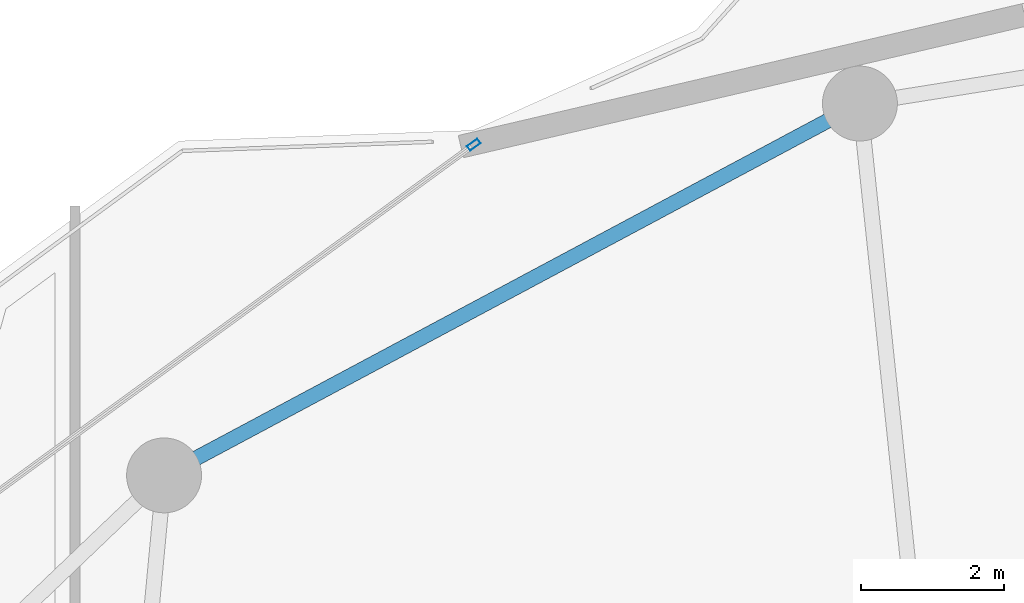
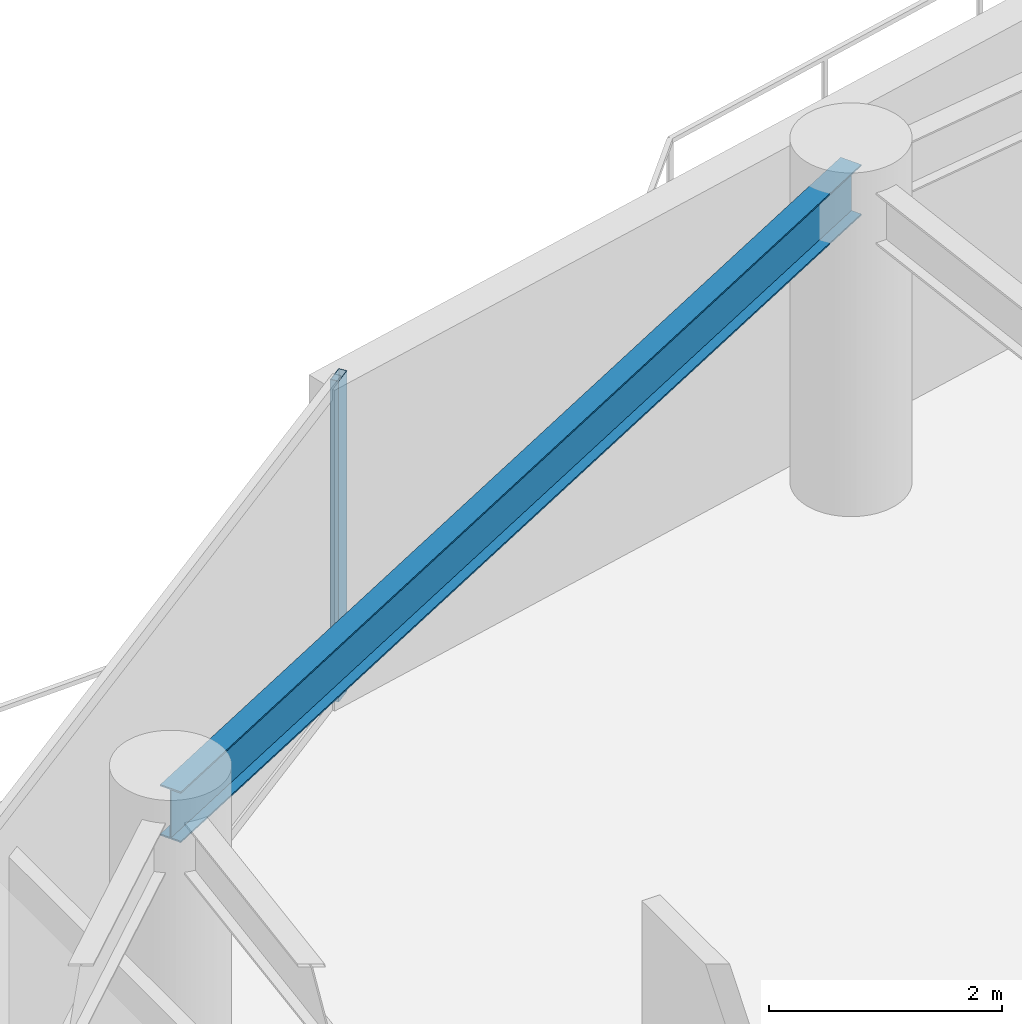
# One storey, part 18 of 31: 1 beam, 1 member, 1 element without a shape of its own.
"""IFC4 building model written with IfcOpenShell, lengths in metres."""

from ifc_helpers import new_model, si_unit, direction, frame, origin, origin_2d, place, context, subcontext, project, spatial, hollow_rectangle, i_section, extrude, material, layer, layer_set, material_profile, profile_set, type_object, element, aggregate, save


model = new_model("IFC4")

# Units and contexts
model_context = context("Model", 3, precision=1e-05, world=origin(), true_north=direction((0.0, 1.0)))
body_context = subcontext(model_context, "Body", "Model", "MODEL_VIEW")
ifc_project = project(units=[si_unit("LENGTHUNIT", "METRE"), si_unit("AREAUNIT", "SQUARE_METRE"), si_unit("VOLUMEUNIT", "CUBIC_METRE"), si_unit("PLANEANGLEUNIT", "RADIAN"), si_unit("MASSUNIT", "GRAM", prefix="KILO")], contexts=[model_context])

# Site, building, storey
site_placement = place(None, origin())
site = spatial("IfcSite", under=ifc_project, at=site_placement, CompositionType="ELEMENT")
building_placement = place(site_placement, origin())
building = spatial("IfcBuilding", under=site, at=building_placement, Name="Kazevale Care Tower and Concert Hall", CompositionType="ELEMENT")
storey_placement = place(building_placement, frame((0.0, 0.0, 206.39990234375)))
storey = spatial("IfcBuildingStorey", under=building, at=storey_placement, Name="L54", CompositionType="ELEMENT", Elevation=206.39990234375)

# Curtain wall, member
ifc_material_1 = material(Name="Aluminium 6063-T6 and Low-E Glass", Category="aluminium")
ifc_layer = layer(ifc_material_1, 0.179931640625)
ifc_layer_set = layer_set([ifc_layer], Name="Aluminium 6063-T6 and Low-E Glass")
curtain_wall_type = type_object("IfcCurtainWallType", Name="Waist & Upper Residential Curtain Wall CW-4", PredefinedType="NOTDEFINED", material=ifc_layer_set)
curtain_wall_placement = place(storey_placement, origin())
curtain_wall = element("IfcCurtainWall", 1, at=curtain_wall_placement, inside=storey, type_object=curtain_wall_type, Name="cw:L54:f14", PredefinedType="NOTDEFINED")
ifc_material_2 = material(Name="Aluminium 6063-T6", Category="aluminium")
ifc_material_profile_1 = material_profile(ifc_material_2, hollow_rectangle(XDim=0.080078125, YDim=0.179931640625, WallThickness=0.0048828125, at=origin_2d()), Name="ALU80x180x5")
ifc_profile_set_1 = profile_set([ifc_material_profile_1], Name="Aluminium 6063-T6")
member_type = type_object("IfcMemberType", Name="CW-4 Mullion ALU80x180x5", PredefinedType="MULLION", material=ifc_profile_set_1)
member_placement = place(storey_placement, frame((28.090576171875, 59.6435546875, 0.0), z_axis=(0.0, 0.0, 1.0), x_axis=(-0.588910374145, 0.808198348937, 0.0)))
member = element("IfcMember", 2, at=member_placement, type_object=member_type, Name="CW-4 mullion 2", PredefinedType="MULLION", context=body_context, shape_type="SweptSolid", body=[
    extrude(hollow_rectangle(XDim=0.080078125, YDim=0.179931640625, WallThickness=0.0048828125, at=origin_2d()), origin(), (0.0, 0.0, 1.0), 3.360107421875),
])
aggregate(curtain_wall, [member])

# Beam
ifc_material_3 = material(Name="Steel ASTM A572 Gr 50", Category="steel")
ifc_material_profile_2 = material_profile(ifc_material_3, i_section(OverallWidth=0.208984375, OverallDepth=0.532958984375, WebThickness=0.01025390625, FlangeThickness=0.015625, at=origin_2d()), Name="W530x92")
ifc_profile_set_2 = profile_set([ifc_material_profile_2], Name="Steel ASTM A572 Gr 50")
beam_type = type_object("IfcBeamType", Name="Upper Ring Beam W530x92", PredefinedType="BEAM", material=ifc_profile_set_2)
beam_placement = place(storey_placement, frame((33.5, 60.219970703125, 3.093505859375), z_axis=(-0.881978519833, -0.471289603697, 0.0), x_axis=(0.471289603697, -0.881978519833, 0.0)))
element("IfcBeam", 3, at=beam_placement, inside=storey, type_object=beam_type, Name="beam:L54:ring:06", PredefinedType="BEAM", context=body_context, shape_type="SweptSolid", body=[
    extrude(i_section(OverallWidth=0.208984375, OverallDepth=0.532958984375, WebThickness=0.01025390625, FlangeThickness=0.015625, at=origin_2d()), origin(), (0.0, 0.0, 1.0), 11.0546875),
])

save(model, "model.ifc")
